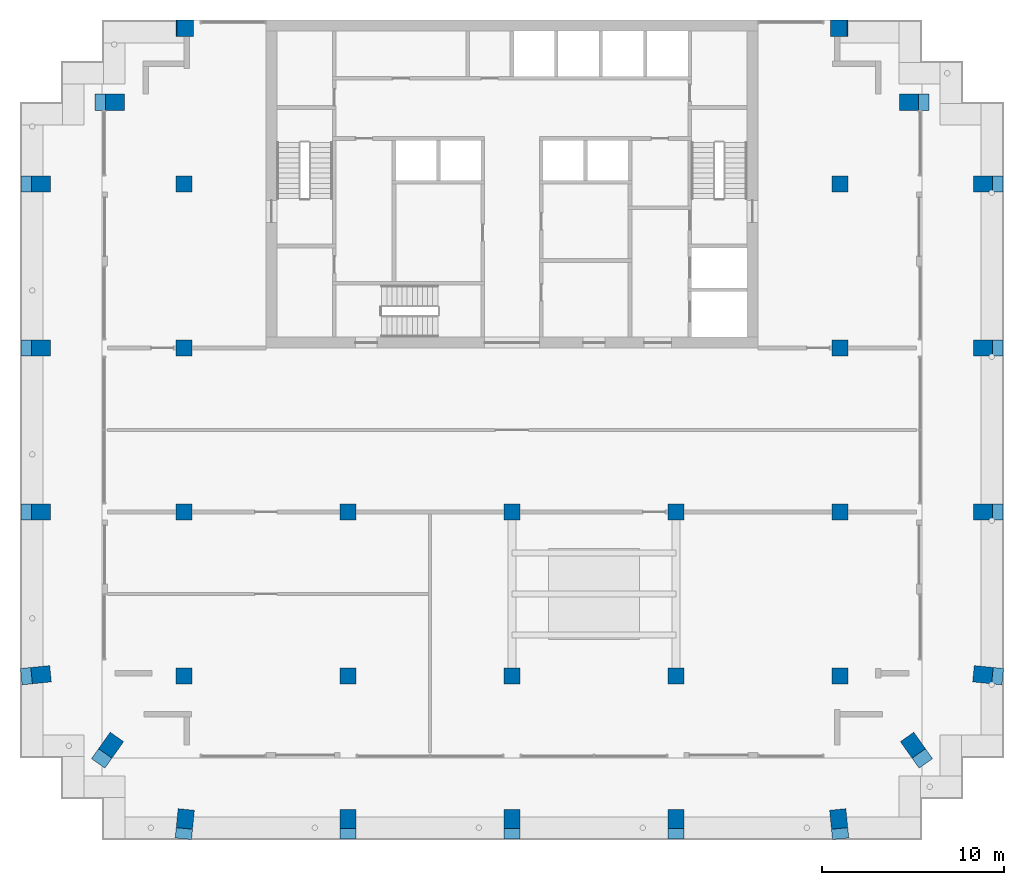
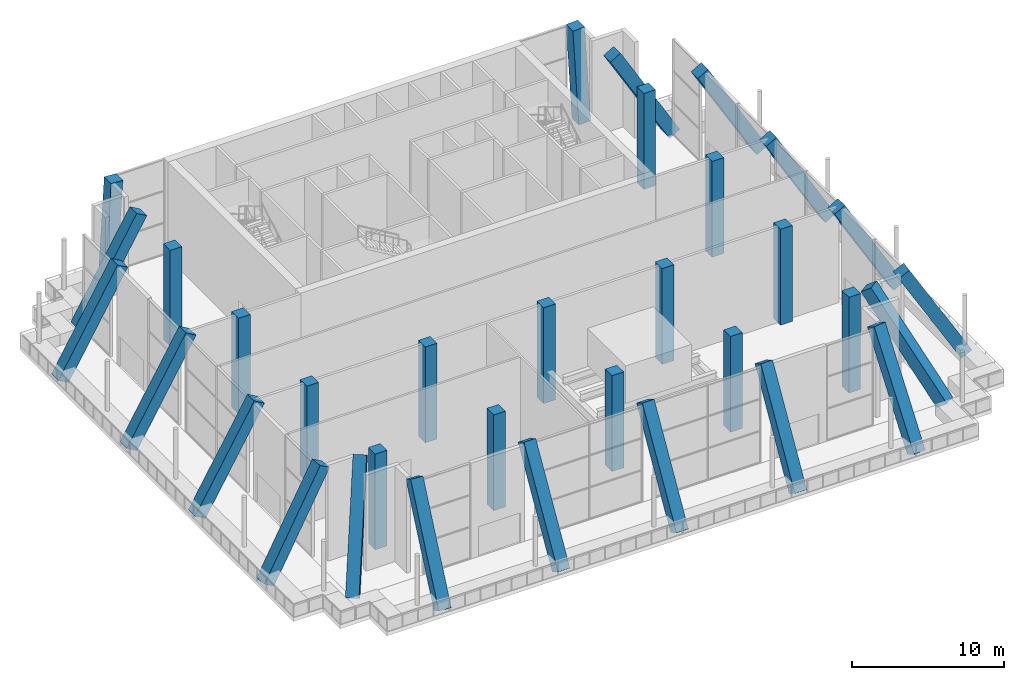
# One storey, part 1 of 12: 33 columns.
"""IFC4 building model written with IfcOpenShell, lengths in metres."""

from ifc_helpers import new_model, si_unit, direction, frame, origin, origin_2d, place, context, subcontext, project, spatial, rectangle, extrude, material, material_profile, profile_set, type_object, element, save


model = new_model("IFC4")

# Units and contexts
model_context = context("Model", 3, precision=1e-05, world=origin(), true_north=direction((0.0, 1.0)))
body_context = subcontext(model_context, "Body", "Model", "MODEL_VIEW")
ifc_project = project(units=[si_unit("LENGTHUNIT", "METRE"), si_unit("AREAUNIT", "SQUARE_METRE"), si_unit("VOLUMEUNIT", "CUBIC_METRE"), si_unit("PLANEANGLEUNIT", "RADIAN"), si_unit("MASSUNIT", "GRAM", prefix="KILO")], contexts=[model_context])

# Site, building, storey
site_placement = place(None, origin())
site = spatial("IfcSite", under=ifc_project, at=site_placement, CompositionType="ELEMENT")
building_placement = place(site_placement, origin())
building = spatial("IfcBuilding", under=site, at=building_placement, Name="Orbiselva Terraces", CompositionType="ELEMENT")
storey_placement = place(building_placement, frame((0.0, 0.0, 289.4)))
storey = spatial("IfcBuildingStorey", under=building, at=storey_placement, Name="L73", CompositionType="ELEMENT", Elevation=289.4)

# Columns
ifc_material = material(Name="Concrete C50/60", Category="concrete")
ifc_material_profile_1 = material_profile(ifc_material, rectangle(XDim=0.9, YDim=0.9, at=origin_2d()), Name="RC 900x900")
ifc_profile_set_1 = profile_set([ifc_material_profile_1], Name="Concrete C50/60")
column_type_1 = type_object("IfcColumnType", Name="COLUMN RC 900x900", PredefinedType="COLUMN", material=ifc_profile_set_1)
for number, where, z_axis, x_axis, name in (
    (1, (-18.0, -13.5, 0.0), (0.0, 0.0, 1.0), (1.0, 0.0, 0.0), "Column L73-01"),
    (2, (-18.0, -4.5, 0.0), (0.0, 0.0, 1.0), (1.0, 0.0, 0.0), "Column L73-03"),
    (3, (-18.0, 13.5, 0.0), (0.0, 0.0, 1.0), (1.0, 0.0, 0.0), "Column L73-04"),
    (4, (-18.0, 4.5, 0.0), (0.0, 0.0, 1.0), (1.0, 0.0, 0.0), "Column L73-06"),
    (5, (-9.0, -13.5, 0.0), (0.0, 0.0, 1.0), (1.0, 0.0, 0.0), "Column L73-13"),
    (6, (-9.0, -4.5, 0.0), (0.0, 0.0, 1.0), (1.0, 0.0, 0.0), "Column L73-15"),
    (7, (0.0, -13.5, 0.0), (0.0, 0.0, 1.0), (1.0, 0.0, 0.0), "Column L73-16"),
    (8, (0.0, -4.5, 0.0), (0.0, 0.0, 1.0), (1.0, 0.0, 0.0), "Column L73-18"),
    (9, (18.0, -13.5, 0.0), (0.0, 0.0, 1.0), (1.0, 0.0, 0.0), "Column L73-19"),
    (10, (18.0, -4.5, 0.0), (0.0, 0.0, 1.0), (1.0, 0.0, 0.0), "Column L73-21"),
    (11, (18.0, 13.5, 0.0), (0.0, 0.0, 1.0), (1.0, 0.0, 0.0), "Column L73-22"),
    (12, (18.0, 4.5, 0.0), (0.0, 0.0, 1.0), (1.0, 0.0, 0.0), "Column L73-24"),
    (13, (9.0, -13.5, 0.0), (0.0, 0.0, 1.0), (1.0, 0.0, 0.0), "Column L73-31"),
    (14, (9.0, -4.5, 0.0), (0.0, 0.0, 1.0), (1.0, 0.0, 0.0), "Column L73-33"),
):
    element("IfcColumn", number, at=place(storey_placement, frame(where, z_axis=z_axis, x_axis=x_axis)), inside=storey, type_object=column_type_1, Name=name, PredefinedType="COLUMN", context=body_context, shape_type="SweptSolid", body=[
        extrude(rectangle(XDim=0.9, YDim=0.9, at=origin_2d()), origin(), (0.0, 0.0, 1.0), 7.7),
    ])
ifc_material_profile_2 = material_profile(ifc_material, rectangle(XDim=0.9, YDim=0.9, at=origin_2d()), Name="RC 900x900")
ifc_profile_set_2 = profile_set([ifc_material_profile_2], Name="Concrete C50/60")
column_type_2 = type_object("IfcColumnType", Name="INCLINED COLUMN RC 900x900", PredefinedType="COLUMN", material=ifc_profile_set_2)
column_1_placement = place(storey_placement, frame((-18.0, -22.05, 0.0), z_axis=(0.050392695604, 0.503926956042, 0.862275013672), x_axis=(-0.99503719021, 0.099503719021, 0.0)))
element("IfcColumn", 15, at=column_1_placement, inside=storey, type_object=column_type_2, Name="Inclined column L73-02", PredefinedType="COLUMN", context=body_context, shape_type="SweptSolid", body=[
    extrude(rectangle(XDim=0.9, YDim=0.9, at=origin_2d()), origin(), (0.0, 0.0, 1.0), 8.929866),
])
column_2_placement = place(storey_placement, frame((-18.0, 22.05, 0.0), z_axis=(0.058342012253, 0.0, 0.99829665411), x_axis=(0.0, 1.0, 0.0)))
element("IfcColumn", 16, at=column_2_placement, inside=storey, type_object=column_type_2, Name="Inclined column L73-05", PredefinedType="COLUMN", context=body_context, shape_type="SweptSolid", body=[
    extrude(rectangle(XDim=0.9, YDim=0.9, at=origin_2d()), origin(), (0.0, 0.0, 1.0), 7.713138),
])
column_3_placement = place(storey_placement, frame((-26.55, -13.5, 0.0), z_axis=(0.503926956042, 0.050392695604, 0.862275013672), x_axis=(-0.099503719021, 0.99503719021, 0.0)))
element("IfcColumn", 17, at=column_3_placement, inside=storey, type_object=column_type_2, Name="Inclined column L73-07", PredefinedType="COLUMN", context=body_context, shape_type="SweptSolid", body=[
    extrude(rectangle(XDim=0.9, YDim=0.9, at=origin_2d()), origin(), (0.0, 0.0, 1.0), 8.929866),
])
column_4_placement = place(storey_placement, frame((-22.5, -18.0, 0.0), z_axis=(0.335850624288, 0.475260317388, 0.813223209753), x_axis=(-0.816665981071, 0.577110626623, 0.0)))
element("IfcColumn", 18, at=column_4_placement, inside=storey, type_object=column_type_2, Name="Inclined column L73-08", PredefinedType="COLUMN", context=body_context, shape_type="SweptSolid", body=[
    extrude(rectangle(XDim=0.9, YDim=0.9, at=origin_2d()), origin(), (0.0, 0.0, 1.0), 9.468495),
])
for number, where, z_axis, x_axis, name in (
    (19, (-26.55, -4.5, 0.0), (0.504568019295, 0.0, 0.863371944127), (0.0, 1.0, 0.0), "Inclined column L73-09"),
    (20, (-26.55, 13.5, 0.0), (0.504568019295, 0.0, 0.863371944127), (0.0, 1.0, 0.0), "Inclined column L73-10"),
    (21, (-22.5, 18.0, 0.0), (0.504568019295, 0.0, 0.863371944127), (0.0, 1.0, 0.0), "Inclined column L73-11"),
    (22, (-26.55, 4.5, 0.0), (0.504568019295, 0.0, 0.863371944127), (0.0, 1.0, 0.0), "Inclined column L73-12"),
    (23, (-9.0, -22.05, 0.0), (0.0, 0.504568019295, 0.863371944127), (-1.0, 0.0, 0.0), "Inclined column L73-14"),
    (24, (0.0, -22.05, 0.0), (0.0, 0.504568019295, 0.863371944127), (-1.0, 0.0, 0.0), "Inclined column L73-17"),
):
    element("IfcColumn", number, at=place(storey_placement, frame(where, z_axis=z_axis, x_axis=x_axis)), inside=storey, type_object=column_type_2, Name=name, PredefinedType="COLUMN", context=body_context, shape_type="SweptSolid", body=[
        extrude(rectangle(XDim=0.9, YDim=0.9, at=origin_2d()), origin(), (0.0, 0.0, 1.0), 8.91852),
    ])
column_5_placement = place(storey_placement, frame((18.0, -22.05, 0.0), z_axis=(-0.050392695604, 0.503926956042, 0.862275013672), x_axis=(-0.99503719021, -0.099503719021, 0.0)))
element("IfcColumn", 25, at=column_5_placement, inside=storey, type_object=column_type_2, Name="Inclined column L73-20", PredefinedType="COLUMN", context=body_context, shape_type="SweptSolid", body=[
    extrude(rectangle(XDim=0.9, YDim=0.9, at=origin_2d()), origin(), (0.0, 0.0, 1.0), 8.929866),
])
column_6_placement = place(storey_placement, frame((18.0, 22.05, 0.0), z_axis=(-0.058342012253, 0.0, 0.99829665411), x_axis=(0.0, -1.0, 0.0)))
element("IfcColumn", 26, at=column_6_placement, inside=storey, type_object=column_type_2, Name="Inclined column L73-23", PredefinedType="COLUMN", context=body_context, shape_type="SweptSolid", body=[
    extrude(rectangle(XDim=0.9, YDim=0.9, at=origin_2d()), origin(), (0.0, 0.0, 1.0), 7.713138),
])
column_7_placement = place(storey_placement, frame((26.55, -13.5, 0.0), z_axis=(-0.503926956042, 0.050392695604, 0.862275013672), x_axis=(-0.099503719021, -0.99503719021, 0.0)))
element("IfcColumn", 27, at=column_7_placement, inside=storey, type_object=column_type_2, Name="Inclined column L73-25", PredefinedType="COLUMN", context=body_context, shape_type="SweptSolid", body=[
    extrude(rectangle(XDim=0.9, YDim=0.9, at=origin_2d()), origin(), (0.0, 0.0, 1.0), 8.929866),
])
column_8_placement = place(storey_placement, frame((22.5, -18.0, 0.0), z_axis=(-0.335850624288, 0.475260317388, 0.813223209753), x_axis=(-0.816665981071, -0.577110626623, 0.0)))
element("IfcColumn", 28, at=column_8_placement, inside=storey, type_object=column_type_2, Name="Inclined column L73-26", PredefinedType="COLUMN", context=body_context, shape_type="SweptSolid", body=[
    extrude(rectangle(XDim=0.9, YDim=0.9, at=origin_2d()), origin(), (0.0, 0.0, 1.0), 9.468495),
])
for number, where, z_axis, x_axis, name in (
    (29, (26.55, -4.5, 0.0), (-0.504568019295, 0.0, 0.863371944127), (0.0, -1.0, 0.0), "Inclined column L73-27"),
    (30, (26.55, 13.5, 0.0), (-0.504568019295, 0.0, 0.863371944127), (0.0, -1.0, 0.0), "Inclined column L73-28"),
    (31, (22.5, 18.0, 0.0), (-0.504568019295, 0.0, 0.863371944127), (0.0, -1.0, 0.0), "Inclined column L73-29"),
    (32, (26.55, 4.5, 0.0), (-0.504568019295, 0.0, 0.863371944127), (0.0, -1.0, 0.0), "Inclined column L73-30"),
    (33, (9.0, -22.05, 0.0), (0.0, 0.504568019295, 0.863371944127), (-1.0, 0.0, 0.0), "Inclined column L73-32"),
):
    element("IfcColumn", number, at=place(storey_placement, frame(where, z_axis=z_axis, x_axis=x_axis)), inside=storey, type_object=column_type_2, Name=name, PredefinedType="COLUMN", context=body_context, shape_type="SweptSolid", body=[
        extrude(rectangle(XDim=0.9, YDim=0.9, at=origin_2d()), origin(), (0.0, 0.0, 1.0), 8.91852),
    ])

save(model, "model.ifc")
